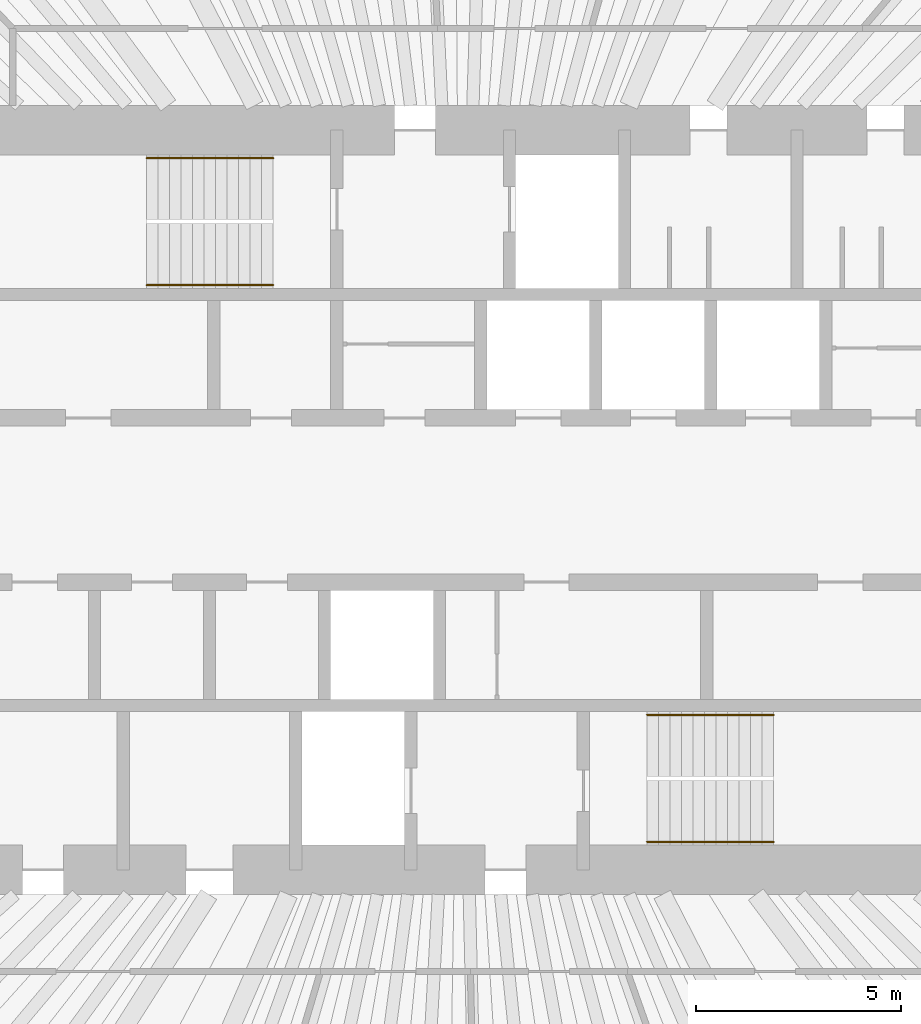
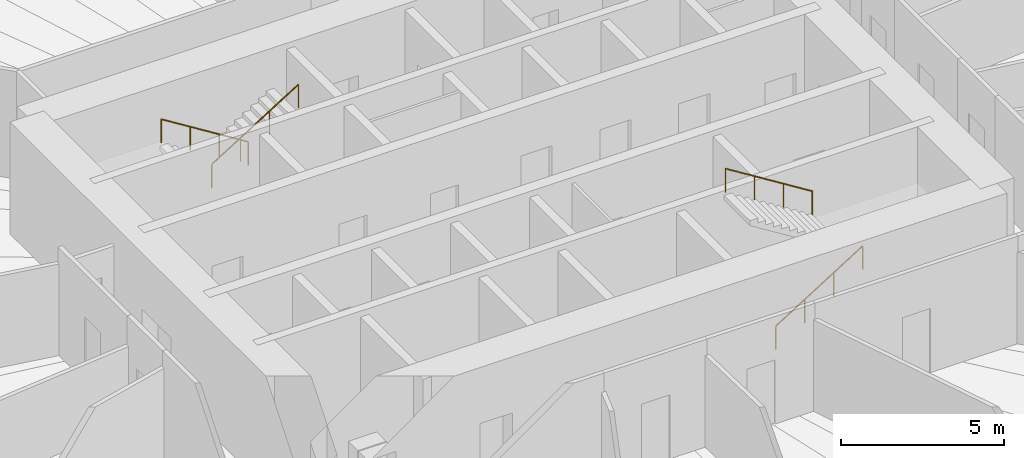
# One storey, part 13 of 13: 4 railings.
"""IFC4 building model written with IfcOpenShell, lengths in metres."""

from ifc_helpers import new_model, si_unit, direction, frame, origin, origin_2d, place, context, subcontext, project, spatial, circle, extrude, material, type_object, element, save


model = new_model("IFC4")

# Units and contexts
model_context = context("Model", 3, precision=1e-05, world=origin(), true_north=direction((0.0, 1.0)))
body_context = subcontext(model_context, "Body", "Model", "MODEL_VIEW")
ifc_project = project(units=[si_unit("LENGTHUNIT", "METRE"), si_unit("AREAUNIT", "SQUARE_METRE"), si_unit("VOLUMEUNIT", "CUBIC_METRE"), si_unit("PLANEANGLEUNIT", "RADIAN"), si_unit("MASSUNIT", "GRAM", prefix="KILO")], contexts=[model_context])

# Site, building, storey
site_placement = place(None, origin())
site = spatial("IfcSite", under=ifc_project, at=site_placement, CompositionType="ELEMENT")
building_placement = place(site_placement, origin())
building = spatial("IfcBuilding", under=site, at=building_placement, Name="Qingtian Harvest Tower", CompositionType="ELEMENT")
storey_placement = place(building_placement, frame((0.0, 0.0, 209.800048828125)))
storey = spatial("IfcBuildingStorey", under=building, at=storey_placement, Name="L45", CompositionType="ELEMENT", Elevation=209.800048828125)

# Railings
ifc_material = material(Name="Stainless steel handrail", Category="steel")
railing_type = type_object("IfcRailingType", Name="Handrail HR1", PredefinedType="HANDRAIL", material=ifc_material)
railing_1_placement = place(storey_placement, frame((-4.550048828125, 8.320068359375, 0.175048828125)))
element("IfcRailing", 1, at=railing_1_placement, inside=storey, type_object=railing_type, Name="Handrail HR1 S1 flight 1", PredefinedType="HANDRAIL", context=body_context, shape_type="SweptSolid", body=[
    extrude(circle(Radius=0.02392578125, at=origin_2d()), frame((0.0, 0.0, 0.8759765625), z_axis=(-0.848009633417, 0.0, 0.529980812513), x_axis=(0.0, -1.0, 0.0)), (0.0, 0.0, 1.0), 3.6318359375),
    extrude(circle(Radius=0.02099609375, at=origin_2d()), origin(), (0.0, 0.0, 1.0), 0.851806640625),
    extrude(circle(Radius=0.02099609375, at=origin_2d()), frame((-1.026611328125, 0.0, 0.6416015625)), (0.0, 0.0, 1.0), 0.851806640625),
    extrude(circle(Radius=0.02099609375, at=origin_2d()), frame((-2.05322265625, 0.0, 1.283203125)), (0.0, 0.0, 1.0), 0.851806640625),
    extrude(circle(Radius=0.02099609375, at=origin_2d()), frame((-3.079833984375, 0.0, 1.9248046875)), (0.0, 0.0, 1.0), 0.851806640625),
])
railing_2_placement = place(storey_placement, frame((-7.6298828125, 5.22998046875, 2.27490234375)))
element("IfcRailing", 2, at=railing_2_placement, inside=storey, type_object=railing_type, Name="Handrail HR1 S1 flight 2", PredefinedType="HANDRAIL", context=body_context, shape_type="SweptSolid", body=[
    extrude(circle(Radius=0.02392578125, at=origin_2d()), frame((0.0, 0.0, 0.8759765625), z_axis=(0.847979421464, 0.0, 0.530029150871), x_axis=(0.0, 1.0, 0.0)), (0.0, 0.0, 1.0), 3.632080078125),
    extrude(circle(Radius=0.02099609375, at=origin_2d()), origin(), (0.0, 0.0, 1.0), 0.851806640625),
    extrude(circle(Radius=0.02099609375, at=origin_2d()), frame((1.026611328125, 0.0, 0.6416015625)), (0.0, 0.0, 1.0), 0.851806640625),
    extrude(circle(Radius=0.02099609375, at=origin_2d()), frame((2.05322265625, 0.0, 1.283447265625)), (0.0, 0.0, 1.0), 0.851806640625),
    extrude(circle(Radius=0.02099609375, at=origin_2d()), frame((3.079833984375, 0.0, 1.925048828125)), (0.0, 0.0, 1.0), 0.851806640625),
])
railing_3_placement = place(storey_placement, frame((4.550048828125, -8.320068359375, 0.175048828125)))
element("IfcRailing", 3, at=railing_3_placement, inside=storey, type_object=railing_type, Name="Handrail HR1 S2 flight 1", PredefinedType="HANDRAIL", context=body_context, shape_type="SweptSolid", body=[
    extrude(circle(Radius=0.02392578125, at=origin_2d()), frame((0.0, 0.0, 0.8759765625), z_axis=(0.848009633417, 0.0, 0.529980812513), x_axis=(0.0, 1.0, 0.0)), (0.0, 0.0, 1.0), 3.6318359375),
    extrude(circle(Radius=0.02099609375, at=origin_2d()), origin(), (0.0, 0.0, 1.0), 0.851806640625),
    extrude(circle(Radius=0.02099609375, at=origin_2d()), frame((1.026611328125, 0.0, 0.6416015625)), (0.0, 0.0, 1.0), 0.851806640625),
    extrude(circle(Radius=0.02099609375, at=origin_2d()), frame((2.05322265625, 0.0, 1.283203125)), (0.0, 0.0, 1.0), 0.851806640625),
    extrude(circle(Radius=0.02099609375, at=origin_2d()), frame((3.079833984375, 0.0, 1.9248046875)), (0.0, 0.0, 1.0), 0.851806640625),
])
railing_4_placement = place(storey_placement, frame((7.6298828125, -5.22998046875, 2.27490234375)))
element("IfcRailing", 4, at=railing_4_placement, inside=storey, type_object=railing_type, Name="Handrail HR1 S2 flight 2", PredefinedType="HANDRAIL", context=body_context, shape_type="SweptSolid", body=[
    extrude(circle(Radius=0.02392578125, at=origin_2d()), frame((0.0, 0.0, 0.8759765625), z_axis=(-0.847979421464, 0.0, 0.530029150871), x_axis=(0.0, -1.0, 0.0)), (0.0, 0.0, 1.0), 3.632080078125),
    extrude(circle(Radius=0.02099609375, at=origin_2d()), origin(), (0.0, 0.0, 1.0), 0.851806640625),
    extrude(circle(Radius=0.02099609375, at=origin_2d()), frame((-1.026611328125, 0.0, 0.6416015625)), (0.0, 0.0, 1.0), 0.851806640625),
    extrude(circle(Radius=0.02099609375, at=origin_2d()), frame((-2.05322265625, 0.0, 1.283447265625)), (0.0, 0.0, 1.0), 0.851806640625),
    extrude(circle(Radius=0.02099609375, at=origin_2d()), frame((-3.079833984375, 0.0, 1.925048828125)), (0.0, 0.0, 1.0), 0.851806640625),
])

save(model, "model.ifc")
